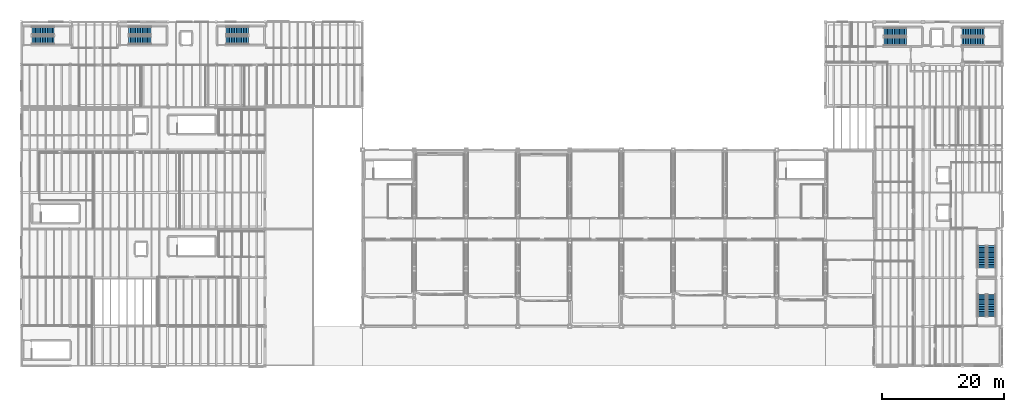
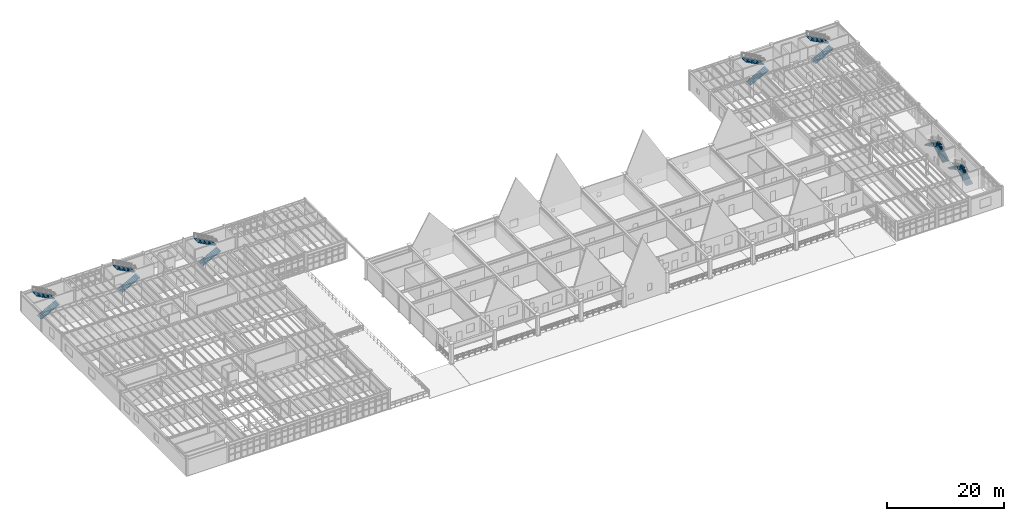
# One storey, part 70 of 78: 14 stair flights, 7 elements without a shape of their own.
"""IFC4 building model written with IfcOpenShell, lengths in metres."""

from ifc_helpers import new_model, si_unit, direction, frame, origin, place, context, subcontext, project, spatial, polyline, outline, extrude, material, type_object, element, aggregate, save


model = new_model("IFC4")

# Units and contexts
model_context = context("Model", 3, precision=1e-05, world=origin(), true_north=direction((0.0, 1.0)))
body_context = subcontext(model_context, "Body", "Model", "MODEL_VIEW")
ifc_project = project(units=[si_unit("LENGTHUNIT", "METRE"), si_unit("AREAUNIT", "SQUARE_METRE"), si_unit("VOLUMEUNIT", "CUBIC_METRE"), si_unit("PLANEANGLEUNIT", "RADIAN"), si_unit("MASSUNIT", "GRAM", prefix="KILO"), si_unit("THERMODYNAMICTEMPERATUREUNIT", "KELVIN"), si_unit("POWERUNIT", "WATT")], contexts=[model_context])

# Site, building, storey
site_placement = place(None, origin())
site = spatial("IfcSite", under=ifc_project, at=site_placement, CompositionType="ELEMENT")
building_placement = place(site_placement, origin())
building = spatial("IfcBuilding", under=site, at=building_placement, Name="Zhenchuan Central Fire Station", CompositionType="ELEMENT")
storey_placement = place(building_placement, frame((0.0, 0.0, 5.85009765625)))
storey = spatial("IfcBuildingStorey", under=building, at=storey_placement, Name="L02", CompositionType="ELEMENT", Elevation=5.85009765625)

# Stair, stair flights
ifc_material = material(Name="Concrete C35/45", Category="concrete")
stair_type = type_object("IfcStairType", Name="ST-CORE-TYP", PredefinedType="HALF_TURN_STAIR", material=ifc_material)
stair_1_placement = place(storey_placement, origin())
stair_1 = element("IfcStair", 1, at=stair_1_placement, inside=storey, type_object=stair_type, Name="L02 Crew West Turnout Stair", PredefinedType="HALF_TURN_STAIR")
stair_flight_type = type_object("IfcStairFlightType", Name="SFL-CORE-TYP", PredefinedType="STRAIGHT", material=ifc_material)
stair_flight_1_placement = place(storey_placement, frame((1.75, 53.47509765625, 0.0), z_axis=(0.0, 0.0, 1.0), x_axis=(1.0, 0.0, 0.0)))
stair_flight_1 = element("IfcStairFlight", 2, at=stair_flight_1_placement, type_object=stair_flight_type, Name="ST-05 flight 1", NumberOfRisers=14, NumberOfTreads=13, PredefinedType="STRAIGHT", RiserHeight=0.15, TreadLength=0.28, context=body_context, shape_type="SweptSolid", body=[
    extrude(outline(polyline([(0.0, 0.0), (0.0, 0.14990234375), (0.280029296875, 0.14990234375), (0.280029296875, 0.300048828125), (0.56005859375, 0.300048828125), (0.56005859375, 0.449951171875), (0.840087890625, 0.449951171875), (0.840087890625, 0.60009765625), (1.1201171875, 0.60009765625), (1.1201171875, 0.75), (1.39990234375, 0.75), (1.39990234375, 0.89990234375), (1.679931640625, 0.89990234375), (1.679931640625, 1.050048828125), (1.9599609375, 1.050048828125), (1.9599609375, 1.199951171875), (2.239990234375, 1.199951171875), (2.239990234375, 1.35009765625), (2.52001953125, 1.35009765625), (2.52001953125, 1.5), (2.800048828125, 1.5), (2.800048828125, 1.64990234375), (3.080078125, 1.64990234375), (3.080078125, 1.800048828125), (3.360107421875, 1.800048828125), (3.360107421875, 1.949951171875), (3.639892578125, 1.949951171875), (3.639892578125, 2.10009765625), (3.639892578125, 1.7685546875), (0.338623046875, 0.0), (0.0, 0.0)])), frame((0.0, 0.675048828125, 0.0), z_axis=(0.0, -1.0, 0.0), x_axis=(1.0, 0.0, 0.0)), (0.0, 0.0, 1.0), 1.35009765625),
])
stair_flight_2_placement = place(storey_placement, frame((5.389892578125, 55.02490234375, 2.099853515625), z_axis=(0.0, 0.0, 1.0), x_axis=(-1.0, 0.0, 0.0)))
stair_flight_2 = element("IfcStairFlight", 3, at=stair_flight_2_placement, type_object=stair_flight_type, Name="ST-05 flight 2", NumberOfRisers=14, NumberOfTreads=13, PredefinedType="STRAIGHT", RiserHeight=0.15, TreadLength=0.28, context=body_context, shape_type="SweptSolid", body=[
    extrude(outline(polyline([(0.0, 0.0), (0.0, 0.14990234375), (0.280029296875, 0.14990234375), (0.280029296875, 0.300048828125), (0.56005859375, 0.300048828125), (0.56005859375, 0.449951171875), (0.840087890625, 0.449951171875), (0.840087890625, 0.60009765625), (1.1201171875, 0.60009765625), (1.1201171875, 0.75), (1.39990234375, 0.75), (1.39990234375, 0.89990234375), (1.679931640625, 0.89990234375), (1.679931640625, 1.050048828125), (1.9599609375, 1.050048828125), (1.9599609375, 1.199951171875), (2.239990234375, 1.199951171875), (2.239990234375, 1.35009765625), (2.52001953125, 1.35009765625), (2.52001953125, 1.5), (2.800048828125, 1.5), (2.800048828125, 1.64990234375), (3.080078125, 1.64990234375), (3.080078125, 1.800048828125), (3.360107421875, 1.800048828125), (3.360107421875, 1.949951171875), (3.639892578125, 1.949951171875), (3.639892578125, 2.10009765625), (3.639892578125, 1.7685546875), (0.338623046875, 0.0), (0.0, 0.0)])), frame((0.0, 0.675048828125, 0.0), z_axis=(0.0, -1.0, 0.0), x_axis=(1.0, 0.0, 0.0)), (0.0, 0.0, 1.0), 1.35009765625),
])
aggregate(stair_1, [stair_flight_1, stair_flight_2])

stair_2_placement = place(storey_placement, origin())
stair_2 = element("IfcStair", 4, at=stair_2_placement, inside=storey, type_object=stair_type, Name="L02 Crew Central Turnout Stair", PredefinedType="HALF_TURN_STAIR")
stair_flight_3_placement = place(storey_placement, frame((17.6201171875, 53.47509765625, 0.0), z_axis=(0.0, 0.0, 1.0), x_axis=(1.0, 0.0, 0.0)))
stair_flight_3 = element("IfcStairFlight", 5, at=stair_flight_3_placement, type_object=stair_flight_type, Name="ST-06 flight 1", NumberOfRisers=14, NumberOfTreads=13, PredefinedType="STRAIGHT", RiserHeight=0.15, TreadLength=0.28, context=body_context, shape_type="SweptSolid", body=[
    extrude(outline(polyline([(0.0, 0.0), (0.0, 0.14990234375), (0.280029296875, 0.14990234375), (0.280029296875, 0.300048828125), (0.56005859375, 0.300048828125), (0.56005859375, 0.449951171875), (0.840087890625, 0.449951171875), (0.840087890625, 0.60009765625), (1.1201171875, 0.60009765625), (1.1201171875, 0.75), (1.39990234375, 0.75), (1.39990234375, 0.89990234375), (1.679931640625, 0.89990234375), (1.679931640625, 1.050048828125), (1.9599609375, 1.050048828125), (1.9599609375, 1.199951171875), (2.239990234375, 1.199951171875), (2.239990234375, 1.35009765625), (2.52001953125, 1.35009765625), (2.52001953125, 1.5), (2.800048828125, 1.5), (2.800048828125, 1.64990234375), (3.080078125, 1.64990234375), (3.080078125, 1.800048828125), (3.360107421875, 1.800048828125), (3.360107421875, 1.949951171875), (3.639892578125, 1.949951171875), (3.639892578125, 2.10009765625), (3.639892578125, 1.7685546875), (0.338623046875, 0.0), (0.0, 0.0)])), frame((0.0, 0.675048828125, 0.0), z_axis=(0.0, -1.0, 0.0), x_axis=(1.0, 0.0, 0.0)), (0.0, 0.0, 1.0), 1.35009765625),
])
stair_flight_4_placement = place(storey_placement, frame((21.260009765625, 55.02490234375, 2.099853515625), z_axis=(0.0, 0.0, 1.0), x_axis=(-1.0, 0.0, 0.0)))
stair_flight_4 = element("IfcStairFlight", 6, at=stair_flight_4_placement, type_object=stair_flight_type, Name="ST-06 flight 2", NumberOfRisers=14, NumberOfTreads=13, PredefinedType="STRAIGHT", RiserHeight=0.15, TreadLength=0.28, context=body_context, shape_type="SweptSolid", body=[
    extrude(outline(polyline([(0.0, 0.0), (0.0, 0.14990234375), (0.280029296875, 0.14990234375), (0.280029296875, 0.300048828125), (0.56005859375, 0.300048828125), (0.56005859375, 0.449951171875), (0.840087890625, 0.449951171875), (0.840087890625, 0.60009765625), (1.1201171875, 0.60009765625), (1.1201171875, 0.75), (1.39990234375, 0.75), (1.39990234375, 0.89990234375), (1.679931640625, 0.89990234375), (1.679931640625, 1.050048828125), (1.9599609375, 1.050048828125), (1.9599609375, 1.199951171875), (2.239990234375, 1.199951171875), (2.239990234375, 1.35009765625), (2.52001953125, 1.35009765625), (2.52001953125, 1.5), (2.800048828125, 1.5), (2.800048828125, 1.64990234375), (3.080078125, 1.64990234375), (3.080078125, 1.800048828125), (3.360107421875, 1.800048828125), (3.360107421875, 1.949951171875), (3.639892578125, 1.949951171875), (3.639892578125, 2.10009765625), (3.639892578125, 1.7685546875), (0.338623046875, 0.0), (0.0, 0.0)])), frame((0.0, 0.675048828125, 0.0), z_axis=(0.0, -1.0, 0.0), x_axis=(1.0, 0.0, 0.0)), (0.0, 0.0, 1.0), 1.35009765625),
])
aggregate(stair_2, [stair_flight_3, stair_flight_4])

stair_3_placement = place(storey_placement, origin())
stair_3 = element("IfcStair", 7, at=stair_3_placement, inside=storey, type_object=stair_type, Name="L02 Crew East Turnout Stair", PredefinedType="HALF_TURN_STAIR")
stair_flight_5_placement = place(storey_placement, frame((33.6201171875, 53.47509765625, 0.0), z_axis=(0.0, 0.0, 1.0), x_axis=(1.0, 0.0, 0.0)))
stair_flight_5 = element("IfcStairFlight", 8, at=stair_flight_5_placement, type_object=stair_flight_type, Name="ST-07 flight 1", NumberOfRisers=14, NumberOfTreads=13, PredefinedType="STRAIGHT", RiserHeight=0.15, TreadLength=0.28, context=body_context, shape_type="SweptSolid", body=[
    extrude(outline(polyline([(0.0, 0.0), (0.0, 0.14990234375), (0.280029296875, 0.14990234375), (0.280029296875, 0.300048828125), (0.56005859375, 0.300048828125), (0.56005859375, 0.449951171875), (0.840087890625, 0.449951171875), (0.840087890625, 0.60009765625), (1.1201171875, 0.60009765625), (1.1201171875, 0.75), (1.39990234375, 0.75), (1.39990234375, 0.89990234375), (1.679931640625, 0.89990234375), (1.679931640625, 1.050048828125), (1.9599609375, 1.050048828125), (1.9599609375, 1.199951171875), (2.239990234375, 1.199951171875), (2.239990234375, 1.35009765625), (2.52001953125, 1.35009765625), (2.52001953125, 1.5), (2.800048828125, 1.5), (2.800048828125, 1.64990234375), (3.080078125, 1.64990234375), (3.080078125, 1.800048828125), (3.360107421875, 1.800048828125), (3.360107421875, 1.949951171875), (3.639892578125, 1.949951171875), (3.639892578125, 2.10009765625), (3.639892578125, 1.7685546875), (0.338623046875, 0.0), (0.0, 0.0)])), frame((0.0, 0.675048828125, 0.0), z_axis=(0.0, -1.0, 0.0), x_axis=(1.0, 0.0, 0.0)), (0.0, 0.0, 1.0), 1.35009765625),
])
stair_flight_6_placement = place(storey_placement, frame((37.260009765625, 55.02490234375, 2.099853515625), z_axis=(0.0, 0.0, 1.0), x_axis=(-1.0, 0.0, 0.0)))
stair_flight_6 = element("IfcStairFlight", 9, at=stair_flight_6_placement, type_object=stair_flight_type, Name="ST-07 flight 2", NumberOfRisers=14, NumberOfTreads=13, PredefinedType="STRAIGHT", RiserHeight=0.15, TreadLength=0.28, context=body_context, shape_type="SweptSolid", body=[
    extrude(outline(polyline([(0.0, 0.0), (0.0, 0.14990234375), (0.280029296875, 0.14990234375), (0.280029296875, 0.300048828125), (0.56005859375, 0.300048828125), (0.56005859375, 0.449951171875), (0.840087890625, 0.449951171875), (0.840087890625, 0.60009765625), (1.1201171875, 0.60009765625), (1.1201171875, 0.75), (1.39990234375, 0.75), (1.39990234375, 0.89990234375), (1.679931640625, 0.89990234375), (1.679931640625, 1.050048828125), (1.9599609375, 1.050048828125), (1.9599609375, 1.199951171875), (2.239990234375, 1.199951171875), (2.239990234375, 1.35009765625), (2.52001953125, 1.35009765625), (2.52001953125, 1.5), (2.800048828125, 1.5), (2.800048828125, 1.64990234375), (3.080078125, 1.64990234375), (3.080078125, 1.800048828125), (3.360107421875, 1.800048828125), (3.360107421875, 1.949951171875), (3.639892578125, 1.949951171875), (3.639892578125, 2.10009765625), (3.639892578125, 1.7685546875), (0.338623046875, 0.0), (0.0, 0.0)])), frame((0.0, 0.675048828125, 0.0), z_axis=(0.0, -1.0, 0.0), x_axis=(1.0, 0.0, 0.0)), (0.0, 0.0, 1.0), 1.35009765625),
])
aggregate(stair_3, [stair_flight_5, stair_flight_6])

stair_4_placement = place(storey_placement, origin())
stair_4 = element("IfcStair", 10, at=stair_4_placement, inside=storey, type_object=stair_type, Name="L02 Headquarters South Exit Stair", PredefinedType="HALF_TURN_STAIR")
stair_flight_7_placement = place(storey_placement, frame((159.22509765625, 8.1201171875, 0.0), z_axis=(0.0, 0.0, 1.0), x_axis=(0.0, 1.0, 0.0)))
stair_flight_7 = element("IfcStairFlight", 11, at=stair_flight_7_placement, type_object=stair_flight_type, Name="ST-10 flight 1", NumberOfRisers=14, NumberOfTreads=13, PredefinedType="STRAIGHT", RiserHeight=0.15, TreadLength=0.28, context=body_context, shape_type="SweptSolid", body=[
    extrude(outline(polyline([(0.0, 0.0), (0.0, 0.14990234375), (0.280029296875, 0.14990234375), (0.280029296875, 0.300048828125), (0.56005859375, 0.300048828125), (0.56005859375, 0.449951171875), (0.840087890625, 0.449951171875), (0.840087890625, 0.60009765625), (1.1201171875, 0.60009765625), (1.1201171875, 0.75), (1.39990234375, 0.75), (1.39990234375, 0.89990234375), (1.679931640625, 0.89990234375), (1.679931640625, 1.050048828125), (1.9599609375, 1.050048828125), (1.9599609375, 1.199951171875), (2.239990234375, 1.199951171875), (2.239990234375, 1.35009765625), (2.52001953125, 1.35009765625), (2.52001953125, 1.5), (2.800048828125, 1.5), (2.800048828125, 1.64990234375), (3.080078125, 1.64990234375), (3.080078125, 1.800048828125), (3.360107421875, 1.800048828125), (3.360107421875, 1.949951171875), (3.639892578125, 1.949951171875), (3.639892578125, 2.10009765625), (3.639892578125, 1.7685546875), (0.338623046875, 0.0), (0.0, 0.0)])), frame((0.0, 0.675048828125, 0.0), z_axis=(0.0, -1.0, 0.0), x_axis=(1.0, 0.0, 0.0)), (0.0, 0.0, 1.0), 1.35009765625),
])
stair_flight_8_placement = place(storey_placement, frame((157.675048828125, 11.760009765625, 2.099853515625), z_axis=(0.0, 0.0, 1.0), x_axis=(0.0, -1.0, 0.0)))
stair_flight_8 = element("IfcStairFlight", 12, at=stair_flight_8_placement, type_object=stair_flight_type, Name="ST-10 flight 2", NumberOfRisers=14, NumberOfTreads=13, PredefinedType="STRAIGHT", RiserHeight=0.15, TreadLength=0.28, context=body_context, shape_type="SweptSolid", body=[
    extrude(outline(polyline([(0.0, 0.0), (0.0, 0.14990234375), (0.280029296875, 0.14990234375), (0.280029296875, 0.300048828125), (0.56005859375, 0.300048828125), (0.56005859375, 0.449951171875), (0.840087890625, 0.449951171875), (0.840087890625, 0.60009765625), (1.1201171875, 0.60009765625), (1.1201171875, 0.75), (1.39990234375, 0.75), (1.39990234375, 0.89990234375), (1.679931640625, 0.89990234375), (1.679931640625, 1.050048828125), (1.9599609375, 1.050048828125), (1.9599609375, 1.199951171875), (2.239990234375, 1.199951171875), (2.239990234375, 1.35009765625), (2.52001953125, 1.35009765625), (2.52001953125, 1.5), (2.800048828125, 1.5), (2.800048828125, 1.64990234375), (3.080078125, 1.64990234375), (3.080078125, 1.800048828125), (3.360107421875, 1.800048828125), (3.360107421875, 1.949951171875), (3.639892578125, 1.949951171875), (3.639892578125, 2.10009765625), (3.639892578125, 1.7685546875), (0.338623046875, 0.0), (0.0, 0.0)])), frame((0.0, 0.675048828125, 0.0), z_axis=(0.0, -1.0, 0.0), x_axis=(1.0, 0.0, 0.0)), (0.0, 0.0, 1.0), 1.35009765625),
])
aggregate(stair_4, [stair_flight_7, stair_flight_8])

stair_5_placement = place(storey_placement, origin())
stair_5 = element("IfcStair", 13, at=stair_5_placement, inside=storey, type_object=stair_type, Name="L02 Headquarters North Exit Stair", PredefinedType="HALF_TURN_STAIR")
stair_flight_9_placement = place(storey_placement, frame((159.22509765625, 16.1201171875, 0.0), z_axis=(0.0, 0.0, 1.0), x_axis=(0.0, 1.0, 0.0)))
stair_flight_9 = element("IfcStairFlight", 14, at=stair_flight_9_placement, type_object=stair_flight_type, Name="ST-11 flight 1", NumberOfRisers=14, NumberOfTreads=13, PredefinedType="STRAIGHT", RiserHeight=0.15, TreadLength=0.28, context=body_context, shape_type="SweptSolid", body=[
    extrude(outline(polyline([(0.0, 0.0), (0.0, 0.14990234375), (0.280029296875, 0.14990234375), (0.280029296875, 0.300048828125), (0.56005859375, 0.300048828125), (0.56005859375, 0.449951171875), (0.840087890625, 0.449951171875), (0.840087890625, 0.60009765625), (1.1201171875, 0.60009765625), (1.1201171875, 0.75), (1.39990234375, 0.75), (1.39990234375, 0.89990234375), (1.679931640625, 0.89990234375), (1.679931640625, 1.050048828125), (1.9599609375, 1.050048828125), (1.9599609375, 1.199951171875), (2.239990234375, 1.199951171875), (2.239990234375, 1.35009765625), (2.52001953125, 1.35009765625), (2.52001953125, 1.5), (2.800048828125, 1.5), (2.800048828125, 1.64990234375), (3.080078125, 1.64990234375), (3.080078125, 1.800048828125), (3.360107421875, 1.800048828125), (3.360107421875, 1.949951171875), (3.639892578125, 1.949951171875), (3.639892578125, 2.10009765625), (3.639892578125, 1.7685546875), (0.338623046875, 0.0), (0.0, 0.0)])), frame((0.0, 0.675048828125, 0.0), z_axis=(0.0, -1.0, 0.0), x_axis=(1.0, 0.0, 0.0)), (0.0, 0.0, 1.0), 1.35009765625),
])
stair_flight_10_placement = place(storey_placement, frame((157.675048828125, 19.760009765625, 2.099853515625), z_axis=(0.0, 0.0, 1.0), x_axis=(0.0, -1.0, 0.0)))
stair_flight_10 = element("IfcStairFlight", 15, at=stair_flight_10_placement, type_object=stair_flight_type, Name="ST-11 flight 2", NumberOfRisers=14, NumberOfTreads=13, PredefinedType="STRAIGHT", RiserHeight=0.15, TreadLength=0.28, context=body_context, shape_type="SweptSolid", body=[
    extrude(outline(polyline([(0.0, 0.0), (0.0, 0.14990234375), (0.280029296875, 0.14990234375), (0.280029296875, 0.300048828125), (0.56005859375, 0.300048828125), (0.56005859375, 0.449951171875), (0.840087890625, 0.449951171875), (0.840087890625, 0.60009765625), (1.1201171875, 0.60009765625), (1.1201171875, 0.75), (1.39990234375, 0.75), (1.39990234375, 0.89990234375), (1.679931640625, 0.89990234375), (1.679931640625, 1.050048828125), (1.9599609375, 1.050048828125), (1.9599609375, 1.199951171875), (2.239990234375, 1.199951171875), (2.239990234375, 1.35009765625), (2.52001953125, 1.35009765625), (2.52001953125, 1.5), (2.800048828125, 1.5), (2.800048828125, 1.64990234375), (3.080078125, 1.64990234375), (3.080078125, 1.800048828125), (3.360107421875, 1.800048828125), (3.360107421875, 1.949951171875), (3.639892578125, 1.949951171875), (3.639892578125, 2.10009765625), (3.639892578125, 1.7685546875), (0.338623046875, 0.0), (0.0, 0.0)])), frame((0.0, 0.675048828125, 0.0), z_axis=(0.0, -1.0, 0.0), x_axis=(1.0, 0.0, 0.0)), (0.0, 0.0, 1.0), 1.35009765625),
])
aggregate(stair_5, [stair_flight_9, stair_flight_10])

stair_6_placement = place(storey_placement, origin())
stair_6 = element("IfcStair", 16, at=stair_6_placement, inside=storey, type_object=stair_type, Name="L02 Drill Tower West Exit Stair", PredefinedType="HALF_TURN_STAIR")
stair_flight_11_placement = place(storey_placement, frame((141.6201171875, 53.27490234375, 0.0), z_axis=(0.0, 0.0, 1.0), x_axis=(1.0, 0.0, 0.0)))
stair_flight_11 = element("IfcStairFlight", 17, at=stair_flight_11_placement, type_object=stair_flight_type, Name="ST-12 flight 1", NumberOfRisers=14, NumberOfTreads=13, PredefinedType="STRAIGHT", RiserHeight=0.15, TreadLength=0.28, context=body_context, shape_type="SweptSolid", body=[
    extrude(outline(polyline([(0.0, 0.0), (0.0, 0.14990234375), (0.280029296875, 0.14990234375), (0.280029296875, 0.300048828125), (0.56005859375, 0.300048828125), (0.56005859375, 0.449951171875), (0.840087890625, 0.449951171875), (0.840087890625, 0.60009765625), (1.1201171875, 0.60009765625), (1.1201171875, 0.75), (1.39990234375, 0.75), (1.39990234375, 0.89990234375), (1.679931640625, 0.89990234375), (1.679931640625, 1.050048828125), (1.9599609375, 1.050048828125), (1.9599609375, 1.199951171875), (2.239990234375, 1.199951171875), (2.239990234375, 1.35009765625), (2.52001953125, 1.35009765625), (2.52001953125, 1.5), (2.800048828125, 1.5), (2.800048828125, 1.64990234375), (3.080078125, 1.64990234375), (3.080078125, 1.800048828125), (3.360107421875, 1.800048828125), (3.360107421875, 1.949951171875), (3.639892578125, 1.949951171875), (3.639892578125, 2.10009765625), (3.639892578125, 1.7685546875), (0.338623046875, 0.0), (0.0, 0.0)])), frame((0.0, 0.675048828125, 0.0), z_axis=(0.0, -1.0, 0.0), x_axis=(1.0, 0.0, 0.0)), (0.0, 0.0, 1.0), 1.35009765625),
])
stair_flight_12_placement = place(storey_placement, frame((145.260009765625, 54.824951171875, 2.099853515625), z_axis=(0.0, 0.0, 1.0), x_axis=(-1.0, 0.0, 0.0)))
stair_flight_12 = element("IfcStairFlight", 18, at=stair_flight_12_placement, type_object=stair_flight_type, Name="ST-12 flight 2", NumberOfRisers=14, NumberOfTreads=13, PredefinedType="STRAIGHT", RiserHeight=0.15, TreadLength=0.28, context=body_context, shape_type="SweptSolid", body=[
    extrude(outline(polyline([(0.0, 0.0), (0.0, 0.14990234375), (0.280029296875, 0.14990234375), (0.280029296875, 0.300048828125), (0.56005859375, 0.300048828125), (0.56005859375, 0.449951171875), (0.840087890625, 0.449951171875), (0.840087890625, 0.60009765625), (1.1201171875, 0.60009765625), (1.1201171875, 0.75), (1.39990234375, 0.75), (1.39990234375, 0.89990234375), (1.679931640625, 0.89990234375), (1.679931640625, 1.050048828125), (1.9599609375, 1.050048828125), (1.9599609375, 1.199951171875), (2.239990234375, 1.199951171875), (2.239990234375, 1.35009765625), (2.52001953125, 1.35009765625), (2.52001953125, 1.5), (2.800048828125, 1.5), (2.800048828125, 1.64990234375), (3.080078125, 1.64990234375), (3.080078125, 1.800048828125), (3.360107421875, 1.800048828125), (3.360107421875, 1.949951171875), (3.639892578125, 1.949951171875), (3.639892578125, 2.10009765625), (3.639892578125, 1.7685546875), (0.338623046875, 0.0), (0.0, 0.0)])), frame((0.0, 0.675048828125, 0.0), z_axis=(0.0, -1.0, 0.0), x_axis=(1.0, 0.0, 0.0)), (0.0, 0.0, 1.0), 1.35009765625),
])
aggregate(stair_6, [stair_flight_11, stair_flight_12])

stair_7_placement = place(storey_placement, origin())
stair_7 = element("IfcStair", 19, at=stair_7_placement, inside=storey, type_object=stair_type, Name="L02 Drill Tower East Exit Stair", PredefinedType="HALF_TURN_STAIR")
stair_flight_13_placement = place(storey_placement, frame((154.389892578125, 53.27490234375, 0.0), z_axis=(0.0, 0.0, 1.0), x_axis=(1.0, 0.0, 0.0)))
stair_flight_13 = element("IfcStairFlight", 20, at=stair_flight_13_placement, type_object=stair_flight_type, Name="ST-13 flight 1", NumberOfRisers=14, NumberOfTreads=13, PredefinedType="STRAIGHT", RiserHeight=0.15, TreadLength=0.28, context=body_context, shape_type="SweptSolid", body=[
    extrude(outline(polyline([(0.0, 0.0), (0.0, 0.14990234375), (0.280029296875, 0.14990234375), (0.280029296875, 0.300048828125), (0.56005859375, 0.300048828125), (0.56005859375, 0.449951171875), (0.840087890625, 0.449951171875), (0.840087890625, 0.60009765625), (1.1201171875, 0.60009765625), (1.1201171875, 0.75), (1.39990234375, 0.75), (1.39990234375, 0.89990234375), (1.679931640625, 0.89990234375), (1.679931640625, 1.050048828125), (1.9599609375, 1.050048828125), (1.9599609375, 1.199951171875), (2.239990234375, 1.199951171875), (2.239990234375, 1.35009765625), (2.52001953125, 1.35009765625), (2.52001953125, 1.5), (2.800048828125, 1.5), (2.800048828125, 1.64990234375), (3.080078125, 1.64990234375), (3.080078125, 1.800048828125), (3.360107421875, 1.800048828125), (3.360107421875, 1.949951171875), (3.639892578125, 1.949951171875), (3.639892578125, 2.10009765625), (3.639892578125, 1.7685546875), (0.338623046875, 0.0), (0.0, 0.0)])), frame((0.0, 0.675048828125, 0.0), z_axis=(0.0, -1.0, 0.0), x_axis=(1.0, 0.0, 0.0)), (0.0, 0.0, 1.0), 1.35009765625),
])
stair_flight_14_placement = place(storey_placement, frame((158.030029296875, 54.824951171875, 2.099853515625), z_axis=(0.0, 0.0, 1.0), x_axis=(-1.0, 0.0, 0.0)))
stair_flight_14 = element("IfcStairFlight", 21, at=stair_flight_14_placement, type_object=stair_flight_type, Name="ST-13 flight 2", NumberOfRisers=14, NumberOfTreads=13, PredefinedType="STRAIGHT", RiserHeight=0.15, TreadLength=0.28, context=body_context, shape_type="SweptSolid", body=[
    extrude(outline(polyline([(0.0, 0.0), (0.0, 0.14990234375), (0.280029296875, 0.14990234375), (0.280029296875, 0.300048828125), (0.56005859375, 0.300048828125), (0.56005859375, 0.449951171875), (0.840087890625, 0.449951171875), (0.840087890625, 0.60009765625), (1.1201171875, 0.60009765625), (1.1201171875, 0.75), (1.39990234375, 0.75), (1.39990234375, 0.89990234375), (1.679931640625, 0.89990234375), (1.679931640625, 1.050048828125), (1.9599609375, 1.050048828125), (1.9599609375, 1.199951171875), (2.239990234375, 1.199951171875), (2.239990234375, 1.35009765625), (2.52001953125, 1.35009765625), (2.52001953125, 1.5), (2.800048828125, 1.5), (2.800048828125, 1.64990234375), (3.080078125, 1.64990234375), (3.080078125, 1.800048828125), (3.360107421875, 1.800048828125), (3.360107421875, 1.949951171875), (3.639892578125, 1.949951171875), (3.639892578125, 2.10009765625), (3.639892578125, 1.7685546875), (0.338623046875, 0.0), (0.0, 0.0)])), frame((0.0, 0.675048828125, 0.0), z_axis=(0.0, -1.0, 0.0), x_axis=(1.0, 0.0, 0.0)), (0.0, 0.0, 1.0), 1.35009765625),
])
aggregate(stair_7, [stair_flight_13, stair_flight_14])

save(model, "model.ifc")
